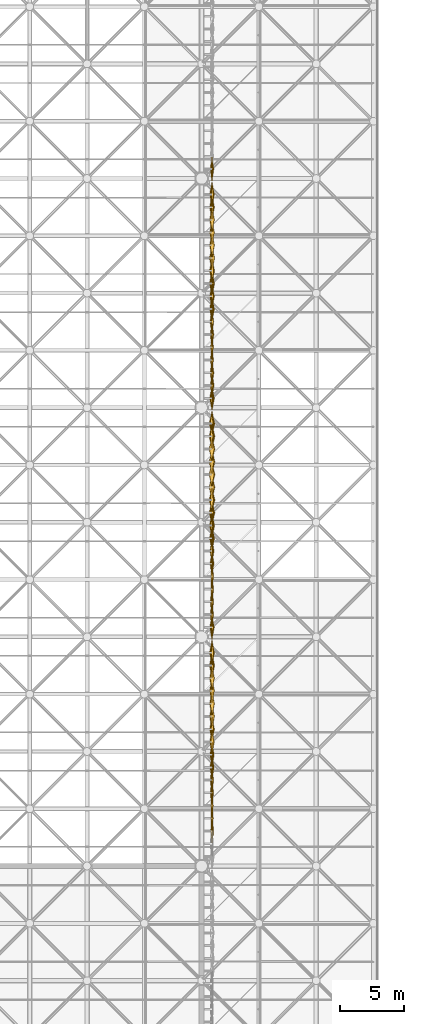
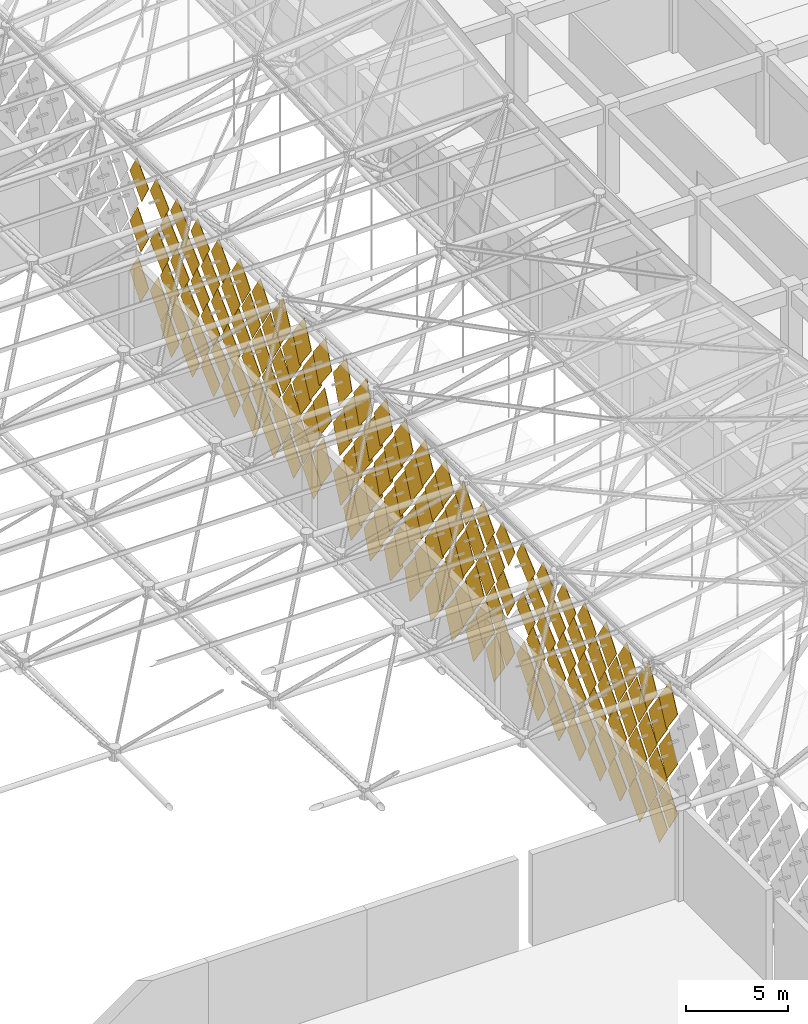
# One storey, part 417 of 437: 150 coverings.
"""IFC4 building model written with IfcOpenShell, lengths in metres."""

from ifc_helpers import new_model, si_unit, direction, frame, origin, place, context, subcontext, project, spatial, polyline, outline, extrude, material, material_profile, profile_set, type_object, element, save


model = new_model("IFC4")

# Units and contexts
model_context = context("Model", 3, precision=1e-05, world=origin(), true_north=direction((0.0, 1.0)))
body_context = subcontext(model_context, "Body", "Model", "MODEL_VIEW")
ifc_project = project(units=[si_unit("LENGTHUNIT", "METRE"), si_unit("AREAUNIT", "SQUARE_METRE"), si_unit("VOLUMEUNIT", "CUBIC_METRE"), si_unit("PLANEANGLEUNIT", "RADIAN"), si_unit("MASSUNIT", "GRAM", prefix="KILO")], contexts=[model_context])

# Site, building, storey
site_placement = place(None, origin())
site = spatial("IfcSite", under=ifc_project, at=site_placement, CompositionType="ELEMENT")
building_placement = place(site_placement, origin())
building = spatial("IfcBuilding", under=site, at=building_placement, Name="Opaline Strait Convention Centre", CompositionType="ELEMENT")
storey_placement = place(building_placement, frame((0.0, 0.0, 11.5)))
storey = spatial("IfcBuildingStorey", under=building, at=storey_placement, Name="L02", CompositionType="ELEMENT", Elevation=11.5)

# Coverings
ifc_material = material(Name="White ceramic-faced aluminium tile", Category="aluminium")
ifc_material_profile_1 = material_profile(ifc_material, outline(polyline([(0.927978515625, 0.0), (0.0, 1.39208984375), (-0.927978515625, 0.0), (0.0, -1.39208984375), (0.927978515625, 0.0)])), Name="Diamond tile 1856x2784")
ifc_profile_set_1 = profile_set([ifc_material_profile_1], Name="White ceramic-faced aluminium tile")
covering_type_1 = type_object("IfcCoveringType", Name="Diamond wall tile 1856x2784x30 pivot 2.5 deg", PredefinedType="CLADDING", material=ifc_profile_set_1)
for number, where, z_axis, x_axis, name in (
    (1, (261.800048828125, 74.75, 3.39208984375), (0.999174794796, 0.0, 0.040616861577), (0.0, 1.0, 0.0), "Wall tile XT05 E"),
    (2, (261.800048828125, 126.75, 3.39208984375), (0.999174794796, 0.0, 0.040616861577), (0.0, 1.0, 0.0), "Wall tile XT05 E"),
    (3, (261.800048828125, 75.75, 4.89208984375), (0.999174794796, 0.0, 0.040616861577), (0.0, 1.0, 0.0), "Wall tile XT05 E"),
    (4, (261.800048828125, 74.75, 6.39208984375), (0.998812351125, 0.0, -0.048722553713), (0.0, 1.0, 0.0), "Wall tile XT05 E"),
    (5, (261.800048828125, 76.75, 6.39208984375), (0.999174794796, 0.0, 0.040616861577), (0.0, 1.0, 0.0), "Wall tile XT05 E"),
    (6, (261.800048828125, 75.75, 7.89208984375), (0.998812351125, 0.0, -0.048722553713), (0.0, 1.0, 0.0), "Wall tile XT05 E"),
    (7, (261.800048828125, 77.75, 7.89208984375), (0.999174794796, 0.0, 0.040616861577), (0.0, 1.0, 0.0), "Wall tile XT05 E"),
    (8, (261.800048828125, 79.75, 7.89208984375), (0.999174794796, 0.0, 0.040616861577), (0.0, 1.0, 0.0), "Wall tile XT05 E"),
    (9, (261.800048828125, 76.75, 9.39208984375), (0.998812351125, 0.0, -0.048722553713), (0.0, 1.0, 0.0), "Wall tile XT05 E"),
    (10, (261.800048828125, 78.75, 9.39208984375), (0.999174794796, 0.0, 0.040616861577), (0.0, 1.0, 0.0), "Wall tile XT05 E"),
    (11, (261.800048828125, 80.75, 9.39208984375), (0.999174794796, 0.0, 0.040616861577), (0.0, 1.0, 0.0), "Wall tile XT05 E"),
):
    element("IfcCovering", number, at=place(storey_placement, frame(where, z_axis=z_axis, x_axis=x_axis)), inside=storey, type_object=covering_type_1, Name=name, PredefinedType="CLADDING", context=body_context, shape_type="SweptSolid", body=[
        extrude(outline(polyline([(0.927978515625, 0.0), (0.0, 1.39208984375), (-0.927978515625, 0.0), (0.0, -1.39208984375), (0.927978515625, 0.0)])), origin(), (0.0, 0.0, 1.0), 0.030029296875),
    ])
ifc_material_profile_2 = material_profile(ifc_material, outline(polyline([(0.927978515625, 0.0), (0.0, 1.39208984375), (-0.927978515625, 0.0), (0.0, -1.39208984375), (0.927978515625, 0.0)])), Name="Diamond tile 1856x2784")
ifc_profile_set_2 = profile_set([ifc_material_profile_2], Name="White ceramic-faced aluminium tile")
covering_type_2 = type_object("IfcCoveringType", Name="Diamond wall tile 1856x2784x30 pivot 3 deg", PredefinedType="CLADDING", material=ifc_profile_set_2)
for number, where, z_axis, x_axis, name in (
    (12, (261.800048828125, 75.75, 1.89208984375), (0.998812351125, 0.0, 0.048722553713), (0.0, 1.0, 0.0), "Wall tile XT06 E"),
    (13, (261.800048828125, 91.75, 1.89208984375), (0.998384516691, 0.0, -0.056818631031), (0.0, 1.0, 0.0), "Wall tile XT06 E"),
    (14, (261.800048828125, 109.75, 1.89208984375), (0.998812351125, 0.0, 0.048722553713), (0.0, 1.0, 0.0), "Wall tile XT06 E"),
    (15, (261.800048828125, 76.75, 3.39208984375), (0.998812351125, 0.0, 0.048722553713), (0.0, 1.0, 0.0), "Wall tile XT06 E"),
    (16, (261.800048828125, 90.75, 3.39208984375), (0.998812351125, 0.0, 0.048722553713), (0.0, 1.0, 0.0), "Wall tile XT06 E"),
    (17, (261.800048828125, 92.75, 3.39208984375), (0.998384516691, 0.0, -0.056818631031), (0.0, 1.0, 0.0), "Wall tile XT06 E"),
    (18, (261.800048828125, 108.75, 3.39208984375), (0.998384516691, 0.0, -0.056818631031), (0.0, 1.0, 0.0), "Wall tile XT06 E"),
    (19, (261.800048828125, 110.75, 3.39208984375), (0.998812351125, 0.0, 0.048722553713), (0.0, 1.0, 0.0), "Wall tile XT06 E"),
    (20, (261.800048828125, 77.75, 4.89208984375), (0.998812351125, 0.0, 0.048722553713), (0.0, 1.0, 0.0), "Wall tile XT06 E"),
    (21, (261.800048828125, 91.75, 4.89208984375), (0.998812351125, 0.0, 0.048722553713), (0.0, 1.0, 0.0), "Wall tile XT06 E"),
    (22, (261.800048828125, 93.75, 4.89208984375), (0.998384516691, 0.0, -0.056818631031), (0.0, 1.0, 0.0), "Wall tile XT06 E"),
    (23, (261.800048828125, 109.75, 4.89208984375), (0.998384516691, 0.0, -0.056818631031), (0.0, 1.0, 0.0), "Wall tile XT06 E"),
    (24, (261.800048828125, 111.75, 4.89208984375), (0.998812351125, 0.0, 0.048722553713), (0.0, 1.0, 0.0), "Wall tile XT06 E"),
    (25, (261.800048828125, 78.75, 6.39208984375), (0.998812351125, 0.0, 0.048722553713), (0.0, 1.0, 0.0), "Wall tile XT06 E"),
    (26, (261.800048828125, 92.75, 6.39208984375), (0.998812351125, 0.0, 0.048722553713), (0.0, 1.0, 0.0), "Wall tile XT06 E"),
    (27, (261.800048828125, 94.75, 6.39208984375), (0.998384516691, 0.0, -0.056818631031), (0.0, 1.0, 0.0), "Wall tile XT06 E"),
    (28, (261.800048828125, 110.75, 6.39208984375), (0.998384516691, 0.0, -0.056818631031), (0.0, 1.0, 0.0), "Wall tile XT06 E"),
    (29, (261.800048828125, 112.75, 6.39208984375), (0.998812351125, 0.0, 0.048722553713), (0.0, 1.0, 0.0), "Wall tile XT06 E"),
    (30, (261.800048828125, 114.75, 6.39208984375), (0.998812351125, 0.0, 0.048722553713), (0.0, 1.0, 0.0), "Wall tile XT06 E"),
    (31, (261.800048828125, 93.75, 7.89208984375), (0.998812351125, 0.0, 0.048722553713), (0.0, 1.0, 0.0), "Wall tile XT06 E"),
    (32, (261.800048828125, 95.75, 7.89208984375), (0.998384516691, 0.0, -0.056818631031), (0.0, 1.0, 0.0), "Wall tile XT06 E"),
    (33, (261.800048828125, 97.75, 7.89208984375), (0.998384516691, 0.0, -0.056818631031), (0.0, 1.0, 0.0), "Wall tile XT06 E"),
    (34, (261.800048828125, 111.75, 7.89208984375), (0.998384516691, 0.0, -0.056818631031), (0.0, 1.0, 0.0), "Wall tile XT06 E"),
    (35, (261.800048828125, 113.75, 7.89208984375), (0.998812351125, 0.0, 0.048722553713), (0.0, 1.0, 0.0), "Wall tile XT06 E"),
    (36, (261.800048828125, 115.75, 7.89208984375), (0.998812351125, 0.0, 0.048722553713), (0.0, 1.0, 0.0), "Wall tile XT06 E"),
    (37, (261.800048828125, 94.75, 9.39208984375), (0.998812351125, 0.0, 0.048722553713), (0.0, 1.0, 0.0), "Wall tile XT06 E"),
    (38, (261.800048828125, 96.75, 9.39208984375), (0.998384516691, 0.0, -0.056818631031), (0.0, 1.0, 0.0), "Wall tile XT06 E"),
    (39, (261.800048828125, 98.75, 9.39208984375), (0.998384516691, 0.0, -0.056818631031), (0.0, 1.0, 0.0), "Wall tile XT06 E"),
    (40, (261.800048828125, 112.75, 9.39208984375), (0.998384516691, 0.0, -0.056818631031), (0.0, 1.0, 0.0), "Wall tile XT06 E"),
    (41, (261.800048828125, 114.75, 9.39208984375), (0.998812351125, 0.0, 0.048722553713), (0.0, 1.0, 0.0), "Wall tile XT06 E"),
    (42, (261.800048828125, 116.75, 9.39208984375), (0.998812351125, 0.0, 0.048722553713), (0.0, 1.0, 0.0), "Wall tile XT06 E"),
):
    element("IfcCovering", number, at=place(storey_placement, frame(where, z_axis=z_axis, x_axis=x_axis)), inside=storey, type_object=covering_type_2, Name=name, PredefinedType="CLADDING", context=body_context, shape_type="SweptSolid", body=[
        extrude(outline(polyline([(0.927978515625, 0.0), (0.0, 1.39208984375), (-0.927978515625, 0.0), (0.0, -1.39208984375), (0.927978515625, 0.0)])), origin(), (0.0, 0.0, 1.0), 0.030029296875),
    ])
ifc_material_profile_3 = material_profile(ifc_material, outline(polyline([(0.927978515625, 0.0), (0.0, 1.39208984375), (-0.927978515625, 0.0), (0.0, -1.39208984375), (0.927978515625, 0.0)])), Name="Diamond tile 1856x2784")
ifc_profile_set_3 = profile_set([ifc_material_profile_3], Name="White ceramic-faced aluminium tile")
covering_type_3 = type_object("IfcCoveringType", Name="Diamond wall tile 1856x2784x30 pivot 3.5 deg", PredefinedType="CLADDING", material=ifc_profile_set_3)
for number, where, z_axis, x_axis, name in (
    (43, (261.800048828125, 93.75, 1.89208984375), (0.99785694905, 0.0, -0.065433242561), (0.0, 1.0, 0.0), "Wall tile XT07 E"),
    (44, (261.800048828125, 94.75, 3.39208984375), (0.99785694905, 0.0, -0.065433242561), (0.0, 1.0, 0.0), "Wall tile XT07 E"),
    (45, (261.800048828125, 112.75, 3.39208984375), (0.99835799028, 0.0, 0.057282835508), (0.0, 1.0, 0.0), "Wall tile XT07 E"),
    (46, (261.800048828125, 95.75, 4.89208984375), (0.99785694905, 0.0, -0.065433242561), (0.0, 1.0, 0.0), "Wall tile XT07 E"),
    (47, (261.800048828125, 113.75, 4.89208984375), (0.99835799028, 0.0, 0.057282835508), (0.0, 1.0, 0.0), "Wall tile XT07 E"),
    (48, (261.800048828125, 96.75, 6.39208984375), (0.99785694905, 0.0, -0.065433242561), (0.0, 1.0, 0.0), "Wall tile XT07 E"),
):
    element("IfcCovering", number, at=place(storey_placement, frame(where, z_axis=z_axis, x_axis=x_axis)), inside=storey, type_object=covering_type_3, Name=name, PredefinedType="CLADDING", context=body_context, shape_type="SweptSolid", body=[
        extrude(outline(polyline([(0.927978515625, 0.0), (0.0, 1.39208984375), (-0.927978515625, 0.0), (0.0, -1.39208984375), (0.927978515625, 0.0)])), origin(), (0.0, 0.0, 1.0), 0.02978515625),
    ])
ifc_material_profile_4 = material_profile(ifc_material, outline(polyline([(0.927978515625, 0.0), (0.0, 1.39208984375), (-0.927978515625, 0.0), (0.0, -1.39208984375), (0.927978515625, 0.0)])), Name="Diamond tile 1856x2784")
ifc_profile_set_4 = profile_set([ifc_material_profile_4], Name="White ceramic-faced aluminium tile")
covering_type_4 = type_object("IfcCoveringType", Name="Diamond wall tile 1856x2784x30 pivot 4 deg", PredefinedType="CLADDING", material=ifc_profile_set_4)
for number, where, z_axis, x_axis, name in (
    (49, (261.800048828125, 111.75, 1.89208984375), (0.99785694905, 0.0, 0.065433242561), (0.0, 1.0, 0.0), "Wall tile XT08 E"),
    (50, (261.800048828125, 123.75, 1.89208984375), (0.99785694905, 0.0, 0.065433242561), (0.0, 1.0, 0.0), "Wall tile XT08 E"),
    (51, (261.800048828125, 124.75, 3.39208984375), (0.99785694905, 0.0, 0.065433242561), (0.0, 1.0, 0.0), "Wall tile XT08 E"),
    (52, (261.800048828125, 126.75, 6.39208984375), (0.99785694905, 0.0, 0.065433242561), (0.0, 1.0, 0.0), "Wall tile XT08 E"),
    (53, (261.800048828125, 74.75, 9.39208984375), (0.997290013252, 0.0, -0.073570574748), (0.0, 1.0, 0.0), "Wall tile XT08 E"),
):
    element("IfcCovering", number, at=place(storey_placement, frame(where, z_axis=z_axis, x_axis=x_axis)), inside=storey, type_object=covering_type_4, Name=name, PredefinedType="CLADDING", context=body_context, shape_type="SweptSolid", body=[
        extrude(outline(polyline([(0.927978515625, 0.0), (0.0, 1.39208984375), (-0.927978515625, 0.0), (0.0, -1.39208984375), (0.927978515625, 0.0)])), origin(), (0.0, 0.0, 1.0), 0.02978515625),
    ])
ifc_material_profile_5 = material_profile(ifc_material, outline(polyline([(0.927978515625, 0.0), (0.0, 1.39208984375), (-0.927978515625, 0.0), (0.0, -1.39208984375), (0.927978515625, 0.0)])), Name="Diamond tile 1856x2784")
ifc_profile_set_5 = profile_set([ifc_material_profile_5], Name="White ceramic-faced aluminium tile")
covering_type_5 = type_object("IfcCoveringType", Name="Diamond wall tile 1856x2784x30 pivot 4.5 deg", PredefinedType="CLADDING", material=ifc_profile_set_5)
for number, where, z_axis, x_axis, name in (
    (54, (261.800048828125, 87.75, 1.89208984375), (0.997290013252, 0.0, 0.073570574748), (0.0, 1.0, 0.0), "Wall tile XT09 E"),
    (55, (261.800048828125, 105.75, 1.89208984375), (0.996657521232, 0.0, -0.081693239445), (0.0, 1.0, 0.0), "Wall tile XT09 E"),
    (56, (261.800048828125, 88.75, 3.39208984375), (0.997290013252, 0.0, 0.073570574748), (0.0, 1.0, 0.0), "Wall tile XT09 E"),
    (57, (261.800048828125, 81.75, 7.89208984375), (0.997290013252, 0.0, 0.073570574748), (0.0, 1.0, 0.0), "Wall tile XT09 E"),
):
    element("IfcCovering", number, at=place(storey_placement, frame(where, z_axis=z_axis, x_axis=x_axis)), inside=storey, type_object=covering_type_5, Name=name, PredefinedType="CLADDING", context=body_context, shape_type="SweptSolid", body=[
        extrude(outline(polyline([(0.927978515625, 0.0), (0.0, 1.39208984375), (-0.927978515625, 0.0), (0.0, -1.39208984375), (0.927978515625, 0.0)])), origin(), (0.0, 0.0, 1.0), 0.02978515625),
    ])
ifc_material_profile_6 = material_profile(ifc_material, outline(polyline([(0.927978515625, 0.0), (0.0, 1.39208984375), (-0.927978515625, 0.0), (0.0, -1.39208984375), (0.927978515625, 0.0)])), Name="Diamond tile 1856x2784")
ifc_profile_set_6 = profile_set([ifc_material_profile_6], Name="White ceramic-faced aluminium tile")
covering_type_6 = type_object("IfcCoveringType", Name="Diamond wall tile 1856x2784x30 pivot 5 deg", PredefinedType="CLADDING", material=ifc_profile_set_6)
for number, where, z_axis, x_axis, name in (
    (58, (261.800048828125, 77.75, 1.89208984375), (0.996657521232, 0.0, 0.081693239445), (0.0, 1.0, 0.0), "Wall tile XT10 E"),
    (59, (261.800048828125, 78.75, 3.39208984375), (0.996657521232, 0.0, 0.081693239445), (0.0, 1.0, 0.0), "Wall tile XT10 E"),
    (60, (261.800048828125, 106.75, 3.39208984375), (0.995959849254, 0.0, -0.089799658539), (0.0, 1.0, 0.0), "Wall tile XT10 E"),
    (61, (261.800048828125, 79.75, 4.89208984375), (0.996657521232, 0.0, 0.081693239445), (0.0, 1.0, 0.0), "Wall tile XT10 E"),
    (62, (261.800048828125, 80.75, 6.39208984375), (0.996657521232, 0.0, 0.081693239445), (0.0, 1.0, 0.0), "Wall tile XT10 E"),
    (63, (261.800048828125, 90.75, 6.39208984375), (0.996657521232, 0.0, 0.081693239445), (0.0, 1.0, 0.0), "Wall tile XT10 E"),
    (64, (261.800048828125, 108.75, 6.39208984375), (0.995959849254, 0.0, -0.089799658539), (0.0, 1.0, 0.0), "Wall tile XT10 E"),
    (65, (261.800048828125, 91.75, 7.89208984375), (0.996657521232, 0.0, 0.081693239445), (0.0, 1.0, 0.0), "Wall tile XT10 E"),
    (66, (261.800048828125, 109.75, 7.89208984375), (0.995959849254, 0.0, -0.089799658539), (0.0, 1.0, 0.0), "Wall tile XT10 E"),
    (67, (261.800048828125, 82.75, 9.39208984375), (0.996657521232, 0.0, 0.081693239445), (0.0, 1.0, 0.0), "Wall tile XT10 E"),
    (68, (261.800048828125, 92.75, 9.39208984375), (0.996657521232, 0.0, 0.081693239445), (0.0, 1.0, 0.0), "Wall tile XT10 E"),
    (69, (261.800048828125, 118.75, 9.39208984375), (0.996657521232, 0.0, 0.081693239445), (0.0, 1.0, 0.0), "Wall tile XT10 E"),
):
    element("IfcCovering", number, at=place(storey_placement, frame(where, z_axis=z_axis, x_axis=x_axis)), inside=storey, type_object=covering_type_6, Name=name, PredefinedType="CLADDING", context=body_context, shape_type="SweptSolid", body=[
        extrude(outline(polyline([(0.927978515625, 0.0), (0.0, 1.39208984375), (-0.927978515625, 0.0), (0.0, -1.39208984375), (0.927978515625, 0.0)])), origin(), (0.0, 0.0, 1.0), 0.02978515625),
    ])
ifc_material_profile_7 = material_profile(ifc_material, outline(polyline([(0.927978515625, 0.0), (0.0, 1.39208984375), (-0.927978515625, 0.0), (0.0, -1.39208984375), (0.927978515625, 0.0)])), Name="Diamond tile 1856x2784")
ifc_profile_set_7 = profile_set([ifc_material_profile_7], Name="White ceramic-faced aluminium tile")
covering_type_7 = type_object("IfcCoveringType", Name="Diamond wall tile 1856x2784x30 pivot 5.5 deg", PredefinedType="CLADDING", material=ifc_profile_set_7)
for number, where, z_axis, x_axis, name in (
    (70, (261.800048828125, 114.75, 3.39208984375), (0.995959849254, 0.0, 0.089799658539), (0.0, 1.0, 0.0), "Wall tile XT11 E"),
    (71, (261.800048828125, 115.75, 4.89208984375), (0.995959849254, 0.0, 0.089799658539), (0.0, 1.0, 0.0), "Wall tile XT11 E"),
    (72, (261.800048828125, 116.75, 6.39208984375), (0.995959849254, 0.0, 0.089799658539), (0.0, 1.0, 0.0), "Wall tile XT11 E"),
):
    element("IfcCovering", number, at=place(storey_placement, frame(where, z_axis=z_axis, x_axis=x_axis)), inside=storey, type_object=covering_type_7, Name=name, PredefinedType="CLADDING", context=body_context, shape_type="SweptSolid", body=[
        extrude(outline(polyline([(0.927978515625, 0.0), (0.0, 1.39208984375), (-0.927978515625, 0.0), (0.0, -1.39208984375), (0.927978515625, 0.0)])), origin(), (0.0, 0.0, 1.0), 0.02978515625),
    ])
covering_1_placement = place(storey_placement, frame((261.800048828125, 99.75, 7.89208984375), z_axis=(0.995197410875, 0.0, -0.097888269922), x_axis=(0.0, 1.0, 0.0)))
element("IfcCovering", 73, at=covering_1_placement, inside=storey, type_object=covering_type_7, Name="Wall tile XT11 E", PredefinedType="CLADDING", context=body_context, shape_type="SweptSolid", body=[
    extrude(outline(polyline([(0.927978515625, 0.0), (0.0, 1.39208984375), (-0.927978515625, 0.0), (0.0, -1.39208984375), (0.927978515625, 0.0)])), origin(), (0.0, 0.0, 1.0), 0.030029296875),
])
covering_2_placement = place(storey_placement, frame((261.800048828125, 117.75, 7.89208984375), z_axis=(0.995959849254, 0.0, 0.089799658539), x_axis=(0.0, 1.0, 0.0)))
element("IfcCovering", 74, at=covering_2_placement, inside=storey, type_object=covering_type_7, Name="Wall tile XT11 E", PredefinedType="CLADDING", context=body_context, shape_type="SweptSolid", body=[
    extrude(outline(polyline([(0.927978515625, 0.0), (0.0, 1.39208984375), (-0.927978515625, 0.0), (0.0, -1.39208984375), (0.927978515625, 0.0)])), origin(), (0.0, 0.0, 1.0), 0.02978515625),
])
for number, where, z_axis, x_axis, name in (
    (75, (261.800048828125, 100.75, 9.39208984375), (0.995197410875, 0.0, -0.097888269922), (0.0, 1.0, 0.0), "Wall tile XT11 E"),
    (76, (261.800048828125, 110.75, 9.39208984375), (0.995197410875, 0.0, -0.097888269922), (0.0, 1.0, 0.0), "Wall tile XT11 E"),
):
    element("IfcCovering", number, at=place(storey_placement, frame(where, z_axis=z_axis, x_axis=x_axis)), inside=storey, type_object=covering_type_7, Name=name, PredefinedType="CLADDING", context=body_context, shape_type="SweptSolid", body=[
        extrude(outline(polyline([(0.927978515625, 0.0), (0.0, 1.39208984375), (-0.927978515625, 0.0), (0.0, -1.39208984375), (0.927978515625, 0.0)])), origin(), (0.0, 0.0, 1.0), 0.030029296875),
    ])
ifc_material_profile_8 = material_profile(ifc_material, outline(polyline([(0.927978515625, 0.0), (0.0, 1.39208984375), (-0.927978515625, 0.0), (0.0, -1.39208984375), (0.927978515625, 0.0)])), Name="Diamond tile 1856x2784")
ifc_profile_set_8 = profile_set([ifc_material_profile_8], Name="White ceramic-faced aluminium tile")
covering_type_8 = type_object("IfcCoveringType", Name="Diamond wall tile 1856x2784x30 pivot 6 deg", PredefinedType="CLADDING", material=ifc_profile_set_8)
for number, where, z_axis, x_axis, name in (
    (77, (261.800048828125, 85.75, 1.89208984375), (0.995197410875, 0.0, 0.097888269922), (0.0, 1.0, 0.0), "Wall tile XT12 E"),
    (78, (261.800048828125, 95.75, 1.89208984375), (0.994370656274, 0.0, -0.105957528947), (0.0, 1.0, 0.0), "Wall tile XT12 E"),
    (79, (261.800048828125, 113.75, 1.89208984375), (0.995197410875, 0.0, 0.097888269922), (0.0, 1.0, 0.0), "Wall tile XT12 E"),
    (80, (261.800048828125, 121.75, 1.89208984375), (0.995197410875, 0.0, 0.097888269922), (0.0, 1.0, 0.0), "Wall tile XT12 E"),
    (81, (261.800048828125, 86.75, 3.39208984375), (0.995197410875, 0.0, 0.097888269922), (0.0, 1.0, 0.0), "Wall tile XT12 E"),
    (82, (261.800048828125, 96.75, 3.39208984375), (0.994370656274, 0.0, -0.105957528947), (0.0, 1.0, 0.0), "Wall tile XT12 E"),
    (83, (261.800048828125, 122.75, 3.39208984375), (0.995197410875, 0.0, 0.097888269922), (0.0, 1.0, 0.0), "Wall tile XT12 E"),
    (84, (261.800048828125, 97.75, 4.89208984375), (0.994370656274, 0.0, -0.105957528947), (0.0, 1.0, 0.0), "Wall tile XT12 E"),
    (85, (261.800048828125, 123.75, 4.89208984375), (0.995197410875, 0.0, 0.097888269922), (0.0, 1.0, 0.0), "Wall tile XT12 E"),
    (86, (261.800048828125, 98.75, 6.39208984375), (0.994370656274, 0.0, -0.105957528947), (0.0, 1.0, 0.0), "Wall tile XT12 E"),
    (87, (261.800048828125, 126.75, 9.39208984375), (0.995197410875, 0.0, 0.097888269922), (0.0, 1.0, 0.0), "Wall tile XT12 E"),
):
    element("IfcCovering", number, at=place(storey_placement, frame(where, z_axis=z_axis, x_axis=x_axis)), inside=storey, type_object=covering_type_8, Name=name, PredefinedType="CLADDING", context=body_context, shape_type="SweptSolid", body=[
        extrude(outline(polyline([(0.927978515625, 0.0), (0.0, 1.39208984375), (-0.927978515625, 0.0), (0.0, -1.39208984375), (0.927978515625, 0.0)])), origin(), (0.0, 0.0, 1.0), 0.030029296875),
    ])
ifc_material_profile_9 = material_profile(ifc_material, outline(polyline([(0.927978515625, 0.0), (0.0, 1.39208984375), (-0.927978515625, 0.0), (0.0, -1.39208984375), (0.927978515625, 0.0)])), Name="Diamond tile 1856x2784")
ifc_profile_set_9 = profile_set([ifc_material_profile_9], Name="White ceramic-faced aluminium tile")
covering_type_9 = type_object("IfcCoveringType", Name="Diamond wall tile 1856x2784x30 pivot 6.5 deg", PredefinedType="CLADDING", material=ifc_profile_set_9)
for number, where, z_axis, x_axis, name in (
    (88, (261.800048828125, 79.75, 1.89208984375), (0.993480071526, 0.0, 0.114005909847), (0.0, 1.0, 0.0), "Wall tile XT13 E"),
    (89, (261.800048828125, 80.75, 3.39208984375), (0.993480071526, 0.0, 0.114005909847), (0.0, 1.0, 0.0), "Wall tile XT13 E"),
    (90, (261.800048828125, 81.75, 4.89208984375), (0.993480071526, 0.0, 0.114005909847), (0.0, 1.0, 0.0), "Wall tile XT13 E"),
    (91, (261.800048828125, 87.75, 4.89208984375), (0.993480071526, 0.0, 0.114005909847), (0.0, 1.0, 0.0), "Wall tile XT13 E"),
    (92, (261.800048828125, 82.75, 6.39208984375), (0.993480071526, 0.0, 0.114005909847), (0.0, 1.0, 0.0), "Wall tile XT13 E"),
    (93, (261.800048828125, 88.75, 6.39208984375), (0.993480071526, 0.0, 0.114005909847), (0.0, 1.0, 0.0), "Wall tile XT13 E"),
    (94, (261.800048828125, 124.75, 6.39208984375), (0.993480071526, 0.0, 0.114005909847), (0.0, 1.0, 0.0), "Wall tile XT13 E"),
    (95, (261.800048828125, 83.75, 7.89208984375), (0.993480071526, 0.0, 0.114005909847), (0.0, 1.0, 0.0), "Wall tile XT13 E"),
    (96, (261.800048828125, 84.75, 9.39208984375), (0.993480071526, 0.0, 0.114005909847), (0.0, 1.0, 0.0), "Wall tile XT13 E"),
    (97, (261.800048828125, 120.75, 9.39208984375), (0.993480071526, 0.0, 0.114005909847), (0.0, 1.0, 0.0), "Wall tile XT13 E"),
):
    element("IfcCovering", number, at=place(storey_placement, frame(where, z_axis=z_axis, x_axis=x_axis)), inside=storey, type_object=covering_type_9, Name=name, PredefinedType="CLADDING", context=body_context, shape_type="SweptSolid", body=[
        extrude(outline(polyline([(0.927978515625, 0.0), (0.0, 1.39208984375), (-0.927978515625, 0.0), (0.0, -1.39208984375), (0.927978515625, 0.0)])), origin(), (0.0, 0.0, 1.0), 0.030029296875),
    ])
ifc_material_profile_10 = material_profile(ifc_material, outline(polyline([(0.927978515625, 0.0), (0.0, 1.39208984375), (-0.927978515625, 0.0), (0.0, -1.39208984375), (0.927978515625, 0.0)])), Name="Diamond tile 1856x2784")
ifc_profile_set_10 = profile_set([ifc_material_profile_10], Name="White ceramic-faced aluminium tile")
covering_type_10 = type_object("IfcCoveringType", Name="Diamond wall tile 1856x2784x30 pivot 7 deg", PredefinedType="CLADDING", material=ifc_profile_set_10)
for number, where, z_axis, x_axis, name in (
    (98, (261.800048828125, 81.75, 1.89208984375), (0.992526177815, 0.0, 0.122031907108), (0.0, 1.0, 0.0), "Wall tile XT14 E"),
    (99, (261.800048828125, 83.75, 1.89208984375), (0.992526177815, 0.0, 0.122031907108), (0.0, 1.0, 0.0), "Wall tile XT14 E"),
    (100, (261.800048828125, 103.75, 1.89208984375), (0.992526177815, 0.0, -0.122031907108), (0.0, 1.0, 0.0), "Wall tile XT14 E"),
    (101, (261.800048828125, 84.75, 3.39208984375), (0.992526177815, 0.0, 0.122031907108), (0.0, 1.0, 0.0), "Wall tile XT14 E"),
    (102, (261.800048828125, 104.75, 3.39208984375), (0.992526177815, 0.0, -0.122031907108), (0.0, 1.0, 0.0), "Wall tile XT14 E"),
    (103, (261.800048828125, 120.75, 3.39208984375), (0.992526177815, 0.0, 0.122031907108), (0.0, 1.0, 0.0), "Wall tile XT14 E"),
    (104, (261.800048828125, 105.75, 4.89208984375), (0.992526177815, 0.0, -0.122031907108), (0.0, 1.0, 0.0), "Wall tile XT14 E"),
    (105, (261.800048828125, 117.75, 4.89208984375), (0.992526177815, 0.0, 0.122031907108), (0.0, 1.0, 0.0), "Wall tile XT14 E"),
    (106, (261.800048828125, 106.75, 6.39208984375), (0.992526177815, 0.0, -0.122031907108), (0.0, 1.0, 0.0), "Wall tile XT14 E"),
    (107, (261.800048828125, 118.75, 6.39208984375), (0.992526177815, 0.0, 0.122031907108), (0.0, 1.0, 0.0), "Wall tile XT14 E"),
    (108, (261.800048828125, 119.75, 7.89208984375), (0.992526177815, 0.0, 0.122031907108), (0.0, 1.0, 0.0), "Wall tile XT14 E"),
    (109, (261.800048828125, 90.75, 9.39208984375), (0.992526177815, 0.0, 0.122031907108), (0.0, 1.0, 0.0), "Wall tile XT14 E"),
):
    element("IfcCovering", number, at=place(storey_placement, frame(where, z_axis=z_axis, x_axis=x_axis)), inside=storey, type_object=covering_type_10, Name=name, PredefinedType="CLADDING", context=body_context, shape_type="SweptSolid", body=[
        extrude(outline(polyline([(0.927978515625, 0.0), (0.0, 1.39208984375), (-0.927978515625, 0.0), (0.0, -1.39208984375), (0.927978515625, 0.0)])), origin(), (0.0, 0.0, 1.0), 0.030029296875),
    ])
ifc_material_profile_11 = material_profile(ifc_material, outline(polyline([(0.927978515625, 0.0), (0.0, 1.39208984375), (-0.927978515625, 0.0), (0.0, -1.39208984375), (0.927978515625, 0.0)])), Name="Diamond tile 1856x2784")
ifc_profile_set_11 = profile_set([ifc_material_profile_11], Name="White ceramic-faced aluminium tile")
covering_type_11 = type_object("IfcCoveringType", Name="Diamond wall tile 1856x2784x30 pivot 7.5 deg", PredefinedType="CLADDING", material=ifc_profile_set_11)
for number, where, z_axis, x_axis, name in (
    (110, (261.800048828125, 115.75, 1.89208984375), (0.991509530601, 0.0, 0.1300340368), (0.0, 1.0, 0.0), "Wall tile XT15 E"),
    (111, (261.800048828125, 119.75, 1.89208984375), (0.991509530601, 0.0, 0.1300340368), (0.0, 1.0, 0.0), "Wall tile XT15 E"),
    (112, (261.800048828125, 82.75, 3.39208984375), (0.991509530601, 0.0, 0.1300340368), (0.0, 1.0, 0.0), "Wall tile XT15 E"),
    (113, (261.800048828125, 116.75, 3.39208984375), (0.991509530601, 0.0, 0.1300340368), (0.0, 1.0, 0.0), "Wall tile XT15 E"),
    (114, (261.800048828125, 83.75, 4.89208984375), (0.991509530601, 0.0, 0.1300340368), (0.0, 1.0, 0.0), "Wall tile XT15 E"),
    (115, (261.800048828125, 85.75, 4.89208984375), (0.991509530601, 0.0, 0.1300340368), (0.0, 1.0, 0.0), "Wall tile XT15 E"),
    (116, (261.800048828125, 99.75, 4.89208984375), (0.991509530601, 0.0, -0.1300340368), (0.0, 1.0, 0.0), "Wall tile XT15 E"),
    (117, (261.800048828125, 121.75, 4.89208984375), (0.991509530601, 0.0, 0.1300340368), (0.0, 1.0, 0.0), "Wall tile XT15 E"),
    (118, (261.800048828125, 84.75, 6.39208984375), (0.991509530601, 0.0, 0.1300340368), (0.0, 1.0, 0.0), "Wall tile XT15 E"),
    (119, (261.800048828125, 86.75, 6.39208984375), (0.991509530601, 0.0, 0.1300340368), (0.0, 1.0, 0.0), "Wall tile XT15 E"),
    (120, (261.800048828125, 100.75, 6.39208984375), (0.991509530601, 0.0, -0.1300340368), (0.0, 1.0, 0.0), "Wall tile XT15 E"),
    (121, (261.800048828125, 120.75, 6.39208984375), (0.991509530601, 0.0, 0.1300340368), (0.0, 1.0, 0.0), "Wall tile XT15 E"),
    (122, (261.800048828125, 122.75, 6.39208984375), (0.991509530601, 0.0, 0.1300340368), (0.0, 1.0, 0.0), "Wall tile XT15 E"),
    (123, (261.800048828125, 85.75, 7.89208984375), (0.991509530601, 0.0, 0.1300340368), (0.0, 1.0, 0.0), "Wall tile XT15 E"),
    (124, (261.800048828125, 101.75, 7.89208984375), (0.991509530601, 0.0, -0.1300340368), (0.0, 1.0, 0.0), "Wall tile XT15 E"),
    (125, (261.800048828125, 121.75, 7.89208984375), (0.991509530601, 0.0, 0.1300340368), (0.0, 1.0, 0.0), "Wall tile XT15 E"),
    (126, (261.800048828125, 123.75, 7.89208984375), (0.991509530601, 0.0, 0.1300340368), (0.0, 1.0, 0.0), "Wall tile XT15 E"),
    (127, (261.800048828125, 86.75, 9.39208984375), (0.991509530601, 0.0, 0.1300340368), (0.0, 1.0, 0.0), "Wall tile XT15 E"),
    (128, (261.800048828125, 102.75, 9.39208984375), (0.991509530601, 0.0, -0.1300340368), (0.0, 1.0, 0.0), "Wall tile XT15 E"),
    (129, (261.800048828125, 108.75, 9.39208984375), (0.991509530601, 0.0, -0.1300340368), (0.0, 1.0, 0.0), "Wall tile XT15 E"),
    (130, (261.800048828125, 122.75, 9.39208984375), (0.991509530601, 0.0, 0.1300340368), (0.0, 1.0, 0.0), "Wall tile XT15 E"),
    (131, (261.800048828125, 124.75, 9.39208984375), (0.991509530601, 0.0, 0.1300340368), (0.0, 1.0, 0.0), "Wall tile XT15 E"),
):
    element("IfcCovering", number, at=place(storey_placement, frame(where, z_axis=z_axis, x_axis=x_axis)), inside=storey, type_object=covering_type_11, Name=name, PredefinedType="CLADDING", context=body_context, shape_type="SweptSolid", body=[
        extrude(outline(polyline([(0.927978515625, 0.0), (0.0, 1.39208984375), (-0.927978515625, 0.0), (0.0, -1.39208984375), (0.927978515625, 0.0)])), origin(), (0.0, 0.0, 1.0), 0.030029296875),
    ])
ifc_material_profile_12 = material_profile(ifc_material, outline(polyline([(0.927978515625, 0.0), (0.0, 1.39208984375), (-0.927978515625, 0.0), (0.0, -1.39208984375), (0.927978515625, 0.0)])), Name="Diamond tile 1856x2784")
ifc_profile_set_12 = profile_set([ifc_material_profile_12], Name="White ceramic-faced aluminium tile")
covering_type_12 = type_object("IfcCoveringType", Name="Diamond wall tile 1856x2784x30 pivot 8 deg", PredefinedType="CLADDING", material=ifc_profile_set_12)
for number, where, z_axis, x_axis, name in (
    (132, (261.800048828125, 97.75, 1.89208984375), (0.990274204789, 0.0, -0.139129433731), (0.0, 1.0, 0.0), "Wall tile XT16 E"),
    (133, (261.800048828125, 101.75, 1.89208984375), (0.990274204789, 0.0, -0.139129433731), (0.0, 1.0, 0.0), "Wall tile XT16 E"),
    (134, (261.800048828125, 117.75, 1.89208984375), (0.990274204789, 0.0, 0.139129433731), (0.0, 1.0, 0.0), "Wall tile XT16 E"),
    (135, (261.800048828125, 98.75, 3.39208984375), (0.990274204789, 0.0, -0.139129433731), (0.0, 1.0, 0.0), "Wall tile XT16 E"),
    (136, (261.800048828125, 102.75, 3.39208984375), (0.990274204789, 0.0, -0.139129433731), (0.0, 1.0, 0.0), "Wall tile XT16 E"),
    (137, (261.800048828125, 118.75, 3.39208984375), (0.990274204789, 0.0, 0.139129433731), (0.0, 1.0, 0.0), "Wall tile XT16 E"),
    (138, (261.800048828125, 103.75, 4.89208984375), (0.990274204789, 0.0, -0.139129433731), (0.0, 1.0, 0.0), "Wall tile XT16 E"),
    (139, (261.800048828125, 119.75, 4.89208984375), (0.990274204789, 0.0, 0.139129433731), (0.0, 1.0, 0.0), "Wall tile XT16 E"),
    (140, (261.800048828125, 87.75, 7.89208984375), (0.990274204789, 0.0, 0.139129433731), (0.0, 1.0, 0.0), "Wall tile XT16 E"),
    (141, (261.800048828125, 88.75, 9.39208984375), (0.990274204789, 0.0, 0.139129433731), (0.0, 1.0, 0.0), "Wall tile XT16 E"),
):
    element("IfcCovering", number, at=place(storey_placement, frame(where, z_axis=z_axis, x_axis=x_axis)), inside=storey, type_object=covering_type_12, Name=name, PredefinedType="CLADDING", context=body_context, shape_type="SweptSolid", body=[
        extrude(outline(polyline([(0.927978515625, 0.0), (0.0, 1.39208984375), (-0.927978515625, 0.0), (0.0, -1.39208984375), (0.927978515625, 0.0)])), origin(), (0.0, 0.0, 1.0), 0.02978515625),
    ])
ifc_material_profile_13 = material_profile(ifc_material, outline(polyline([(0.927978515625, 0.0), (0.0, 1.39208984375), (-0.927978515625, 0.0), (0.0, -1.39208984375), (0.927978515625, 0.0)])), Name="Diamond tile 1856x2784")
ifc_profile_set_13 = profile_set([ifc_material_profile_13], Name="White ceramic-faced aluminium tile")
covering_type_13 = type_object("IfcCoveringType", Name="Diamond wall tile 1856x2784x30 pivot 8.5 deg", PredefinedType="CLADDING", material=ifc_profile_set_13)
for number, where, z_axis, x_axis, name in (
    (142, (261.800048828125, 99.75, 1.89208984375), (0.987895005451, 0.0, -0.15512400912), (0.0, 1.0, 0.0), "Wall tile XT17 E"),
    (143, (261.800048828125, 100.75, 3.39208984375), (0.987895005451, 0.0, -0.15512400912), (0.0, 1.0, 0.0), "Wall tile XT17 E"),
    (144, (261.800048828125, 101.75, 4.89208984375), (0.987895005451, 0.0, -0.15512400912), (0.0, 1.0, 0.0), "Wall tile XT17 E"),
    (145, (261.800048828125, 102.75, 6.39208984375), (0.987895005451, 0.0, -0.15512400912), (0.0, 1.0, 0.0), "Wall tile XT17 E"),
    (146, (261.800048828125, 104.75, 6.39208984375), (0.987895005451, 0.0, -0.15512400912), (0.0, 1.0, 0.0), "Wall tile XT17 E"),
    (147, (261.800048828125, 103.75, 7.89208984375), (0.987895005451, 0.0, -0.15512400912), (0.0, 1.0, 0.0), "Wall tile XT17 E"),
    (148, (261.800048828125, 105.75, 7.89208984375), (0.987895005451, 0.0, -0.15512400912), (0.0, 1.0, 0.0), "Wall tile XT17 E"),
    (149, (261.800048828125, 104.75, 9.39208984375), (0.987895005451, 0.0, -0.15512400912), (0.0, 1.0, 0.0), "Wall tile XT17 E"),
    (150, (261.800048828125, 106.75, 9.39208984375), (0.987895005451, 0.0, -0.15512400912), (0.0, 1.0, 0.0), "Wall tile XT17 E"),
):
    element("IfcCovering", number, at=place(storey_placement, frame(where, z_axis=z_axis, x_axis=x_axis)), inside=storey, type_object=covering_type_13, Name=name, PredefinedType="CLADDING", context=body_context, shape_type="SweptSolid", body=[
        extrude(outline(polyline([(0.927978515625, 0.0), (0.0, 1.39208984375), (-0.927978515625, 0.0), (0.0, -1.39208984375), (0.927978515625, 0.0)])), origin(), (0.0, 0.0, 1.0), 0.02978515625),
    ])

save(model, "model.ifc")
